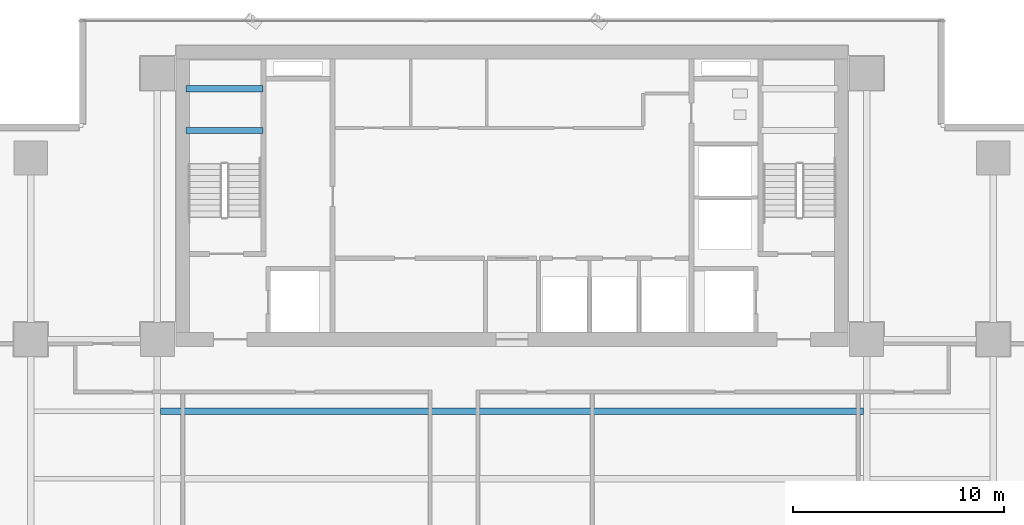
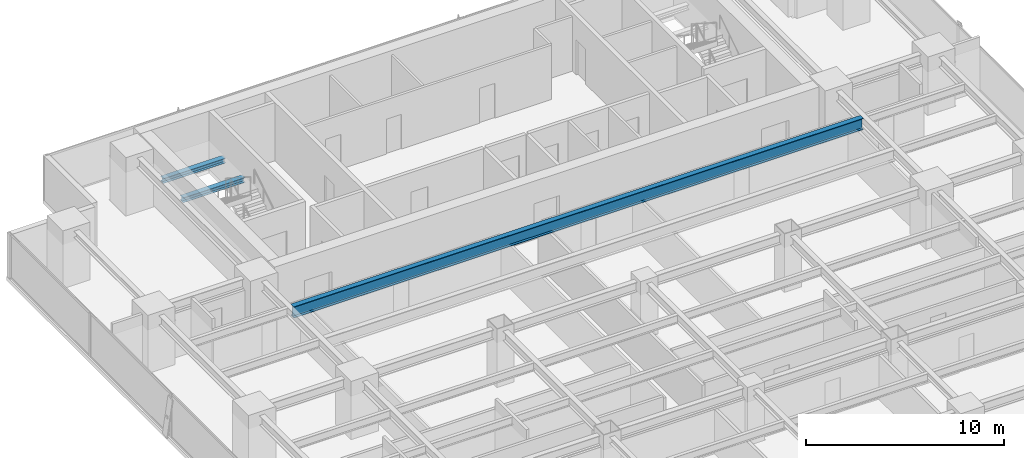
# One storey, part 19 of 37: 3 beams.
"""IFC4 building model written with IfcOpenShell, lengths in metres."""

from ifc_helpers import new_model, si_unit, direction, frame, origin, origin_2d, place, context, subcontext, project, spatial, i_section, extrude, source, transform, mapped, material, material_profile, profile_set, type_object, element, save


model = new_model("IFC4")

# Units and contexts
model_context = context("Model", 3, precision=1e-05, world=origin(), true_north=direction((0.0, 1.0)))
body_context = subcontext(model_context, "Body", "Model", "MODEL_VIEW")
ifc_project = project(units=[si_unit("LENGTHUNIT", "METRE"), si_unit("AREAUNIT", "SQUARE_METRE"), si_unit("VOLUMEUNIT", "CUBIC_METRE"), si_unit("PLANEANGLEUNIT", "RADIAN"), si_unit("MASSUNIT", "GRAM", prefix="KILO")], contexts=[model_context])

# Site, building, storey
site_placement = place(None, origin())
site = spatial("IfcSite", under=ifc_project, at=site_placement, CompositionType="ELEMENT")
building_placement = place(site_placement, origin())
building = spatial("IfcBuilding", under=site, at=building_placement, Name="Sumidabori Civic Tower", CompositionType="ELEMENT")
storey_placement = place(building_placement, frame((0.0, 0.0, 110.0)))
storey = spatial("IfcBuildingStorey", under=building, at=storey_placement, Name="L28", CompositionType="ELEMENT", Elevation=110.0)

# Beams
ifc_material = material(Name="Steel SN490", Category="steel")
ifc_material_profile_1 = material_profile(ifc_material, i_section(OverallWidth=0.300048828125, OverallDepth=0.300048828125, WebThickness=0.010986328125, FlangeThickness=0.01904296875, at=origin_2d()), Name="HE 300 B")
ifc_profile_set_1 = profile_set([ifc_material_profile_1], Name="Steel SN490")
beam_type_1 = type_object("IfcBeamType", Name="BM-LDG-300", PredefinedType="BEAM", material=ifc_profile_set_1)
shared_shape_1 = source(origin(), body_context, "Body", "SweptSolid", [
    extrude(i_section(OverallWidth=0.300048828125, OverallDepth=0.300048828125, WebThickness=0.010986328125, FlangeThickness=0.01904296875, at=origin_2d()), origin(), (0.0, 0.0, 1.0), 3.64990234375),
])
for number, where, z_axis, x_axis, name in (
    (1, (-15.449951171875, 20.09765625, 1.449951171875), (1.0, 0.0, 0.0), (0.0, 1.0, 0.0), "Stair ST-1 Landing Support Beam L28-1A"),
    (2, (-15.449951171875, 22.069580078125, 1.449951171875), (1.0, 0.0, 0.0), (0.0, 1.0, 0.0), "Stair ST-1 Landing Trimmer Beam L28-1B"),
):
    element("IfcBeam", number, at=place(storey_placement, frame(where, z_axis=z_axis, x_axis=x_axis)), inside=storey, type_object=beam_type_1, Name=name, PredefinedType="BEAM", context=body_context, shape_type="MappedRepresentation", body=[
        mapped(shared_shape_1, transform((0.0, 0.0, 0.0), x_axis=(1.0, 0.0, 0.0), y_axis=(0.0, 1.0, 0.0), z_axis=(0.0, 0.0, 1.0), scale=1.0)),
    ])
ifc_material_profile_2 = material_profile(ifc_material, i_section(OverallWidth=0.300048828125, OverallDepth=0.699951171875, WebThickness=0.01708984375, FlangeThickness=0.031982421875, at=origin_2d()), Name="HE 700 B")
ifc_profile_set_2 = profile_set([ifc_material_profile_2], Name="Steel SN490")
beam_type_2 = type_object("IfcBeamType", Name="BM-GIRD-700", PredefinedType="BEAM", material=ifc_profile_set_2)
shared_shape_2 = source(origin(), body_context, "Body", "SweptSolid", [
    extrude(i_section(OverallWidth=0.300048828125, OverallDepth=0.699951171875, WebThickness=0.01708984375, FlangeThickness=0.031982421875, at=origin_2d()), origin(), (0.0, 0.0, 1.0), 33.2998046875),
])
beam_placement = place(storey_placement, frame((-16.64990234375, 6.800048828125, 3.010009765625), z_axis=(1.0, 0.0, 0.0), x_axis=(0.0, 1.0, 0.0)))
element("IfcBeam", 3, at=beam_placement, inside=storey, type_object=beam_type_2, Name="North Bay Floor Beam L28 JSTN-54", PredefinedType="BEAM", context=body_context, shape_type="MappedRepresentation", body=[
    mapped(shared_shape_2, transform((0.0, 0.0, 0.0), x_axis=(1.0, 0.0, 0.0), y_axis=(0.0, 1.0, 0.0), z_axis=(0.0, 0.0, 1.0), scale=1.0)),
])

save(model, "model.ifc")
